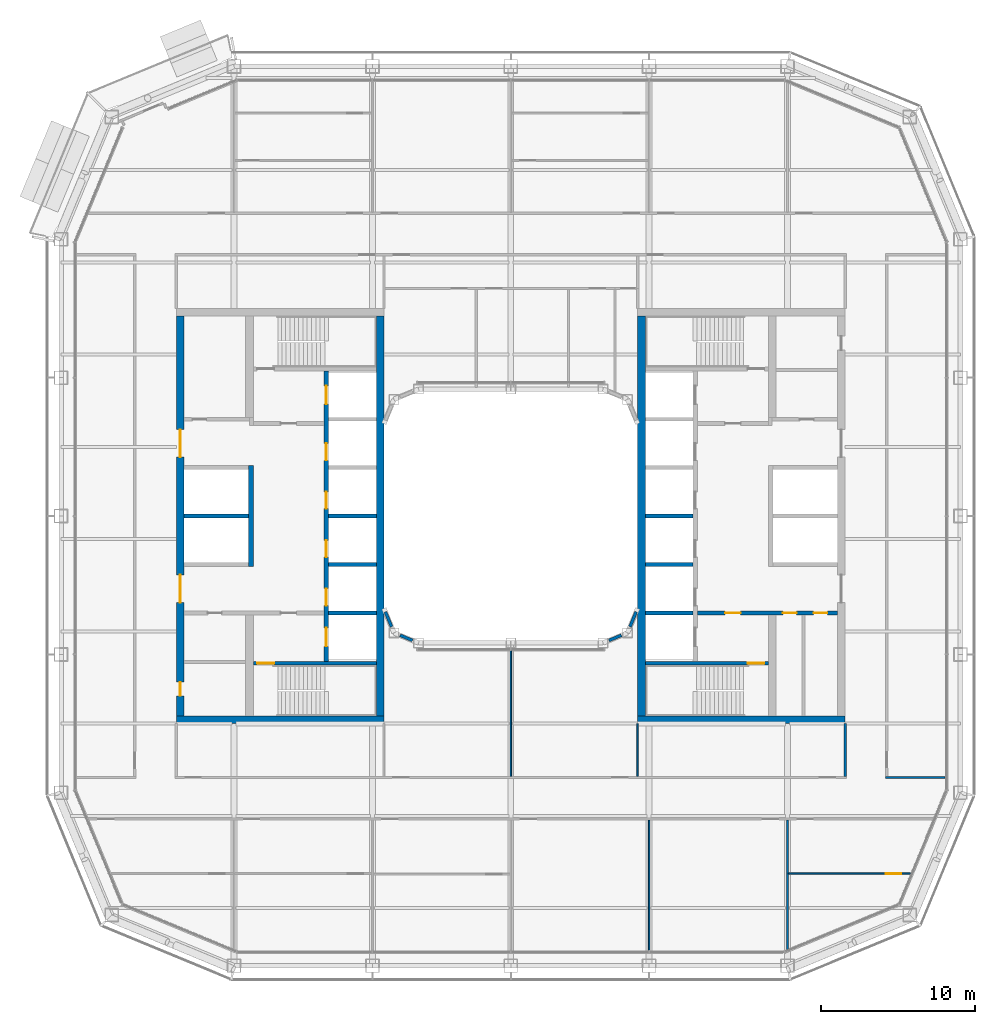
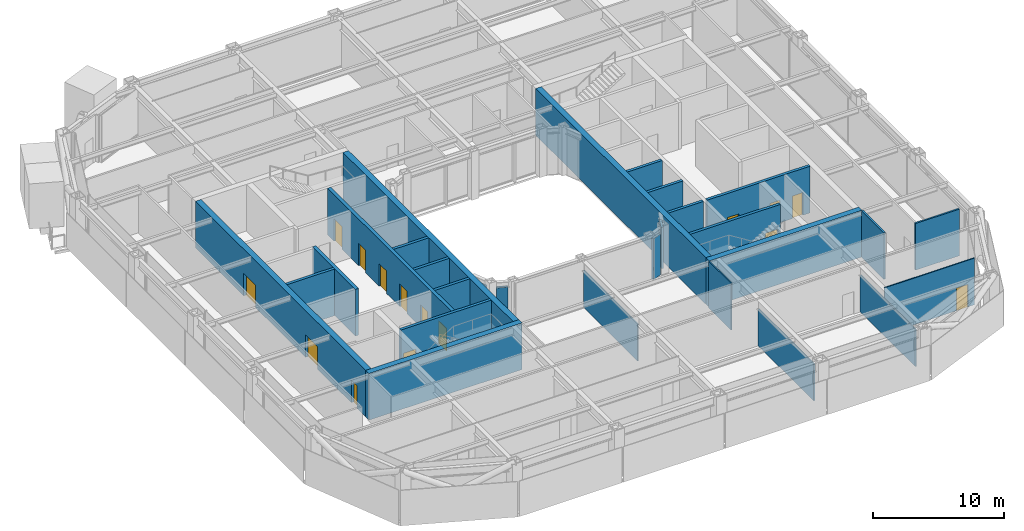
# One storey, part 12 of 23: 28 walls, 15 doors, 15 openings.
"""IFC4 building model written with IfcOpenShell, lengths in metres."""

import ifcopenshell
import ifcopenshell.guid

model = None  # the IFC model being written
_history = None  # IfcOwnerHistory: only IFC2X3 demands one
_inside = {}  # id of a spatial element -> (the spatial element, [elements in it])
_under = {}  # id of a project, library or spatial element -> (it, [spatial elements below it])
_declared = {}  # id of a project -> (the project, [libraries it declares])
_typed = {}  # id of a type object -> (the type object, [elements of that type])
_made_of = {}  # id of a material, layer set ... -> (it, [elements and type objects made of it])


def new_model(schema):
    """Start an empty IFC model of exactly this schema.

    Asked for "IFC4X3", IfcOpenShell would pick the latest addendum, in which some entities
    have other attributes; the version numbers below select the first issue.
    IFC2X3 requires an IfcOwnerHistory on every rooted entity: one is made here for all.
    """
    global model, _history
    if schema == "IFC4X3":
        model = ifcopenshell.file(schema_version=(4, 3, 0, 0))
    else:
        model = ifcopenshell.file(schema=schema)
    _inside.clear()
    _under.clear()
    _declared.clear()
    _typed.clear()
    _made_of.clear()
    _history = None
    if model.schema == "IFC2X3":
        org = make("IfcOrganization", Name="unknown")
        user = make(
            "IfcPersonAndOrganization",
            ThePerson=make("IfcPerson", FamilyName="unknown"),
            TheOrganization=org,
        )
        app = make(
            "IfcApplication",
            ApplicationDeveloper=org,
            Version="unknown",
            ApplicationFullName="unknown",
            ApplicationIdentifier="unknown",
        )
        _history = make(
            "IfcOwnerHistory",
            OwningUser=user,
            OwningApplication=app,
            ChangeAction="ADDED",
            CreationDate=0,
        )
    return model


def make(cls, **values):
    """One entity of the class cls with the attributes given. An attribute that is None is left unset."""
    return model.create_entity(
        cls, **{name: value for name, value in values.items() if value is not None}
    )


def rooted(cls, **values):
    """An entity with a GlobalId (a new one), such as an element, a storey or a relation."""
    return make(cls, GlobalId=ifcopenshell.guid.new(), OwnerHistory=_history, **values)


def si_unit(unit_type, name, prefix=None):
    """IfcSIUnit, for example si_unit("LENGTHUNIT", "METRE", prefix="MILLI")."""
    return make("IfcSIUnit", UnitType=unit_type, Prefix=prefix, Name=name)


def assignment(units):
    """IfcUnitAssignment: the units of a project."""
    return None if units is None else make("IfcUnitAssignment", Units=units)


def point(xyz):
    """IfcCartesianPoint."""
    return None if xyz is None else make("IfcCartesianPoint", Coordinates=xyz)


def direction(xyz):
    """IfcDirection."""
    return None if xyz is None else make("IfcDirection", DirectionRatios=xyz)


def frame(location, z_axis=None, x_axis=None):
    """IfcAxis2Placement3D, a coordinate frame: its origin and axes. An axis left out is left unset."""
    return make(
        "IfcAxis2Placement3D",
        Location=point(location),
        Axis=direction(z_axis),
        RefDirection=direction(x_axis),
    )


def frame_2d(location, x_axis=None):
    """IfcAxis2Placement2D, a coordinate frame in the plane: its origin and x axis."""
    return make(
        "IfcAxis2Placement2D", Location=point(location), RefDirection=direction(x_axis)
    )


def origin():
    """The frame at (0, 0, 0) with its axes left unset."""
    return frame((0.0, 0.0, 0.0))


def place(relative_to, where):
    """IfcLocalPlacement: puts the frame where relative to a parent placement (None: the world)."""
    return make(
        "IfcLocalPlacement", PlacementRelTo=relative_to, RelativePlacement=where
    )


def context(
    kind, dimensions, precision=None, world=None, true_north=None, identifier=None
):
    """IfcGeometricRepresentationContext, for example the 3D "Model" context."""
    return make(
        "IfcGeometricRepresentationContext",
        ContextIdentifier=identifier,
        ContextType=kind,
        CoordinateSpaceDimension=dimensions,
        Precision=precision,
        WorldCoordinateSystem=world,
        TrueNorth=true_north,
    )


def subcontext(parent, identifier, kind, view, scale=None):
    """IfcGeometricRepresentationSubContext, for example "Body" below "Model"."""
    return make(
        "IfcGeometricRepresentationSubContext",
        ContextIdentifier=identifier,
        ContextType=kind,
        ParentContext=parent,
        TargetScale=scale,
        TargetView=view,
    )


def project(units=None, contexts=None):
    """IfcProject with its units and contexts."""
    return rooted(
        "IfcProject",
        Name="project",
        RepresentationContexts=contexts,
        UnitsInContext=assignment(units),
    )


def spatial(cls, under=None, at=None, **own):
    """A site, building, storey or space (cls), placed at a placement, below another one or the project."""
    s = rooted(cls, ObjectPlacement=at, **own)
    if under is not None:
        _under.setdefault(under.id(), (under, []))[1].append(s)
    return s


def profile(cls, at=None, kind="AREA", **sizes):
    """A parametric profile (cls). Its sizes go by their IFC names, for example OverallWidth=200.0."""
    return make(cls, ProfileType=kind, Position=at, **sizes)


def rectangle(**sizes):
    """IfcRectangleProfileDef."""
    return profile("IfcRectangleProfileDef", **sizes)


def extrude(swept, where, along, depth):
    """IfcExtrudedAreaSolid: the profile swept, set in the frame where, extruded along a direction by depth."""
    return make(
        "IfcExtrudedAreaSolid",
        SweptArea=swept,
        Position=where,
        ExtrudedDirection=direction(along),
        Depth=depth,
    )


def shape(context_of_items, identifier, shape_type, items):
    """IfcShapeRepresentation: the items that make up one representation, for example the "Body"."""
    return make(
        "IfcShapeRepresentation",
        ContextOfItems=context_of_items,
        RepresentationIdentifier=identifier,
        RepresentationType=shape_type,
        Items=items,
    )


def material(Name=None, Category=None):
    """IfcMaterial."""
    return make("IfcMaterial", Name=Name, Category=Category)


def layer(
    of_material, thickness, ventilated=None, Name=None, Category=None, Priority=None
):
    """IfcMaterialLayer: one layer of a wall or slab, of a material (None: an air gap)."""
    return make(
        "IfcMaterialLayer",
        Material=of_material,
        LayerThickness=thickness,
        IsVentilated=ventilated,
        Name=Name,
        Category=Category,
        Priority=Priority,
    )


def layer_set(layers, Name=None):
    """IfcMaterialLayerSet."""
    return make("IfcMaterialLayerSet", MaterialLayers=layers, LayerSetName=Name)


def made_of(thing, what):
    """Note that an element or type object is made of a material, layer set ...; save() writes the relation."""
    if what is not None:
        _made_of.setdefault(what.id(), (what, []))[1].append(thing)
    return thing


def type_object(cls, material=None, **own):
    """A type object (cls), such as IfcWallType, which elements share."""
    return made_of(rooted(cls, **own), material)


def element(
    cls,
    number,
    at=None,
    inside=None,
    cuts=None,
    type_object=None,
    material=None,
    context=None,
    identifier="Body",
    shape_type=None,
    held_by="IfcProductDefinitionShape",
    body=None,
    shapes=None,
    **own,
):
    """One element of the class cls, such as IfcWall. Its Tag is "e" and its number.

    at: its placement. inside: the storey or other place that contains it. cuts: it is an
    opening in that element (IfcRelVoidsElement). A single representation is given by context,
    identifier, shape_type and body (its items); several are given by shapes. held_by: the class
    of the entity that holds the representations. save() writes the other relations.
    """
    e = rooted(cls, Tag="e%d" % number, ObjectPlacement=at, **own)
    if body is not None:
        shapes = [shape(context, identifier, shape_type, body)]
    if shapes is not None:
        e.Representation = make(held_by, Representations=shapes)
    if inside is not None:
        _inside.setdefault(inside.id(), (inside, []))[1].append(e)
    if cuts is not None:
        rooted(
            "IfcRelVoidsElement", RelatingBuildingElement=cuts, RelatedOpeningElement=e
        )
    if type_object is not None:
        _typed.setdefault(type_object.id(), (type_object, []))[1].append(e)
    return made_of(e, material)


def fill(opening, filler):
    """IfcRelFillsElement: the door or window that sits in an opening."""
    return rooted(
        "IfcRelFillsElement",
        RelatingOpeningElement=opening,
        RelatedBuildingElement=filler,
    )


def aggregate(whole, parts):
    """IfcRelAggregates: a whole, such as a stair, and the parts it consists of."""
    return rooted("IfcRelAggregates", RelatingObject=whole, RelatedObjects=parts)


def save(model, path):
    """Write the relations noted so far, then the file.

    IfcRelAggregates (storeys below a building ...), IfcRelContainedInSpatialStructure (elements
    in a storey), IfcRelDefinesByType, IfcRelAssociatesMaterial and IfcRelDeclares: one each for
    every whole, place, type object, material and project.
    """
    for whole, parts in _under.values():
        aggregate(whole, parts)
    for where, things in _inside.values():
        rooted(
            "IfcRelContainedInSpatialStructure",
            RelatedElements=things,
            RelatingStructure=where,
        )
    for kind, things in _typed.values():
        rooted("IfcRelDefinesByType", RelatedObjects=things, RelatingType=kind)
    for what, things in _made_of.values():
        rooted("IfcRelAssociatesMaterial", RelatedObjects=things, RelatingMaterial=what)
    for by, libraries in _declared.values():
        rooted("IfcRelDeclares", RelatingContext=by, RelatedDefinitions=libraries)
    model.write(path)


model = new_model("IFC4")

# Units and contexts
model_context = context("Model", 3, precision=1e-05, world=origin(), true_north=direction((0.0, 1.0)))
body_context = subcontext(model_context, "Body", "Model", "MODEL_VIEW")
ifc_project = project(units=[si_unit("LENGTHUNIT", "METRE"), si_unit("AREAUNIT", "SQUARE_METRE"), si_unit("VOLUMEUNIT", "CUBIC_METRE"), si_unit("PLANEANGLEUNIT", "RADIAN"), si_unit("MASSUNIT", "GRAM", prefix="KILO")], contexts=[model_context])

# Site, building, storey
site_placement = place(None, origin())
site = spatial("IfcSite", under=ifc_project, at=site_placement, CompositionType="ELEMENT")
building_placement = place(site_placement, origin())
building = spatial("IfcBuilding", under=site, at=building_placement, Name="Siwar Civic Tower", CompositionType="ELEMENT")
storey_placement = place(building_placement, frame((0.0, 0.0, 154.199951171875)))
storey = spatial("IfcBuildingStorey", under=building, at=storey_placement, Name="L33", CompositionType="ELEMENT", Elevation=154.199951171875)

# Walls
ifc_material_1 = material(Name="Concrete C60/75", Category="concrete")
ifc_layer_1 = layer(ifc_material_1, 0.25)
ifc_layer_set_1 = layer_set([ifc_layer_1], Name="Concrete C60/75")
wall_type_1 = type_object("IfcWallType", Name="CORE-WALL-RC250", PredefinedType="SHEAR", material=ifc_layer_set_1)
wall_1_placement = place(storey_placement, frame((-17.050048828125, 0.0, 0.0), z_axis=(0.0, 0.0, 1.0), x_axis=(-1.0, 0.0, 0.0)))
element("IfcWall", 1, at=wall_1_placement, inside=storey, type_object=wall_type_1, Name="Core wall W", PredefinedType="SHEAR", context=body_context, shape_type="SweptSolid", body=[
    extrude(rectangle(XDim=4.199951171875, YDim=0.25, at=frame_2d((2.10009765625, 0.0))), origin(), (0.0, 0.0, 1.0), 4.35009765625),
])
for number, where, z_axis, x_axis, name in (
    (2, (-8.75, 0.0, 0.0), (0.0, 0.0, 1.0), (-1.0, 0.0, 0.0), "Core wall W"),
    (3, (-8.75, -3.14990234375, 0.0), (0.0, 0.0, 1.0), (-1.0, 0.0, 0.0), "Core wall W"),
    (4, (-8.75, -6.300048828125, 0.0), (0.0, 0.0, 1.0), (-1.0, 0.0, 0.0), "Core wall W"),
):
    element("IfcWall", number, at=place(storey_placement, frame(where, z_axis=z_axis, x_axis=x_axis)), inside=storey, type_object=wall_type_1, Name=name, PredefinedType="SHEAR", context=body_context, shape_type="SweptSolid", body=[
        extrude(rectangle(XDim=3.10009765625, YDim=0.25, at=frame_2d((1.550048828125, 0.0))), origin(), (0.0, 0.0, 1.0), 4.35009765625),
    ])

# Wall, opening, door
wall_2_placement = place(storey_placement, frame((-8.75, -9.574951171875, 0.0), z_axis=(0.0, 0.0, 1.0), x_axis=(-1.0, 0.0, 0.0)))
wall_2 = element("IfcWall", 5, at=wall_2_placement, inside=storey, type_object=wall_type_1, Name="Core wall W", PredefinedType="SHEAR", context=body_context, shape_type="SweptSolid", body=[
    extrude(rectangle(XDim=8.0, YDim=0.25, at=frame_2d((4.0, 0.0))), origin(), (0.0, 0.0, 1.0), 4.35009765625),
])
opening_1_placement = place(wall_2_placement, frame((6.64990234375, 0.0, 0.0)))
opening_1 = element("IfcOpeningElement", 6, at=opening_1_placement, cuts=wall_2, Name="Opening L33-CW04", PredefinedType="OPENING", context=body_context, shape_type="SweptSolid", body=[
    extrude(rectangle(XDim=1.10009765625, YDim=2.10009765625, at=frame_2d((0.550048828125, 1.050048828125))), frame((0.0, 0.135009765625, 0.0), z_axis=(0.0, -1.0, 0.0), x_axis=(1.0, 0.0, 0.0)), (0.0, 0.0, 1.0), 0.27001953125),
])
ifc_material_2 = material(Name="Steel door leaf", Category="steel")
door_type_1 = type_object("IfcDoorType", Name="CORE-DOOR-FD60S", OperationType="SINGLE_SWING_LEFT", PredefinedType="DOOR", material=ifc_material_2)
door_1_placement = place(opening_1_placement, origin())
door_1 = element("IfcDoor", 7, at=door_1_placement, inside=storey, type_object=door_type_1, Name="Stair door L33-CW04", OperationType="SINGLE_SWING_LEFT", OverallHeight=2.10009765625, OverallWidth=1.10009765625, PredefinedType="DOOR", context=body_context, shape_type="SweptSolid", body=[
    extrude(rectangle(XDim=1.10009765625, YDim=2.10009765625, at=frame_2d((0.550048828125, 1.050048828125))), frame((0.0, 0.02490234375, 0.0), z_axis=(0.0, -1.0, 0.0), x_axis=(1.0, 0.0, 0.0)), (0.0, 0.0, 1.0), 0.050048828125),
])
fill(opening_1, door_1)

# Wall, openings, doors
wall_3_placement = place(storey_placement, frame((12.14990234375, -6.300048828125, 0.0), z_axis=(0.0, 0.0, 1.0), x_axis=(1.0, 0.0, 0.0)))
wall_3 = element("IfcWall", 8, at=wall_3_placement, inside=storey, type_object=wall_type_1, Name="Core wall E", PredefinedType="SHEAR", context=body_context, shape_type="SweptSolid", body=[
    extrude(rectangle(XDim=9.10009765625, YDim=0.25, at=frame_2d((4.550048828125, 0.0))), origin(), (0.0, 0.0, 1.0), 4.35009765625),
])
opening_2_placement = place(wall_3_placement, frame((1.800048828125, 0.0, 0.0)))
opening_2 = element("IfcOpeningElement", 9, at=opening_2_placement, cuts=wall_3, Name="Opening L33-CE02", PredefinedType="OPENING", context=body_context, shape_type="SweptSolid", body=[
    extrude(rectangle(XDim=1.0, YDim=2.10009765625, at=frame_2d((0.5, 1.050048828125))), frame((0.0, 0.135009765625, 0.0), z_axis=(0.0, -1.0, 0.0), x_axis=(1.0, 0.0, 0.0)), (0.0, 0.0, 1.0), 0.27001953125),
])
opening_3_placement = place(wall_3_placement, frame((5.550048828125, 0.0, 0.0)))
opening_3 = element("IfcOpeningElement", 10, at=opening_3_placement, cuts=wall_3, Name="Opening L33-CE15", PredefinedType="OPENING", context=body_context, shape_type="SweptSolid", body=[
    extrude(rectangle(XDim=0.89990234375, YDim=2.10009765625, at=frame_2d((0.449951171875, 1.050048828125))), frame((0.0, 0.135009765625, 0.0), z_axis=(0.0, -1.0, 0.0), x_axis=(1.0, 0.0, 0.0)), (0.0, 0.0, 1.0), 0.27001953125),
])
opening_4_placement = place(wall_3_placement, frame((7.550048828125, 0.0, 0.0)))
opening_4 = element("IfcOpeningElement", 11, at=opening_4_placement, cuts=wall_3, Name="Opening L33-CE16", PredefinedType="OPENING", context=body_context, shape_type="SweptSolid", body=[
    extrude(rectangle(XDim=0.89990234375, YDim=2.10009765625, at=frame_2d((0.449951171875, 1.050048828125))), frame((0.0, 0.135009765625, 0.0), z_axis=(0.0, -1.0, 0.0), x_axis=(1.0, 0.0, 0.0)), (0.0, 0.0, 1.0), 0.27001953125),
])
ifc_material_3 = material(Name="Steel door leaf", Category="steel")
door_type_2 = type_object("IfcDoorType", Name="CORE-DOOR-FD30S", OperationType="SINGLE_SWING_LEFT", PredefinedType="DOOR", material=ifc_material_3)
door_2_placement = place(opening_2_placement, origin())
door_2 = element("IfcDoor", 12, at=door_2_placement, inside=storey, type_object=door_type_2, Name="Service lobby door L33-CE02", OperationType="SINGLE_SWING_LEFT", OverallHeight=2.10009765625, OverallWidth=1.0, PredefinedType="DOOR", context=body_context, shape_type="SweptSolid", body=[
    extrude(rectangle(XDim=1.0, YDim=2.10009765625, at=frame_2d((0.5, 1.050048828125))), frame((0.0, 0.02490234375, 0.0), z_axis=(0.0, -1.0, 0.0), x_axis=(1.0, 0.0, 0.0)), (0.0, 0.0, 1.0), 0.050048828125),
])
fill(opening_2, door_2)
ifc_material_4 = material(Name="Steel door leaf", Category="steel")
door_type_3 = type_object("IfcDoorType", Name="CORE-DOOR-ROOM", OperationType="SINGLE_SWING_LEFT", PredefinedType="DOOR", material=ifc_material_4)
door_3_placement = place(opening_3_placement, origin())
door_3 = element("IfcDoor", 13, at=door_3_placement, inside=storey, type_object=door_type_3, Name="Core room door L33-CE15", OperationType="SINGLE_SWING_RIGHT", OverallHeight=2.10009765625, OverallWidth=0.89990234375, PredefinedType="DOOR", context=body_context, shape_type="SweptSolid", body=[
    extrude(rectangle(XDim=0.89990234375, YDim=2.10009765625, at=frame_2d((0.449951171875, 1.050048828125))), frame((0.0, 0.02490234375, 0.0), z_axis=(0.0, -1.0, 0.0), x_axis=(1.0, 0.0, 0.0)), (0.0, 0.0, 1.0), 0.050048828125),
])
fill(opening_3, door_3)
door_4_placement = place(opening_4_placement, origin())
door_4 = element("IfcDoor", 14, at=door_4_placement, inside=storey, type_object=door_type_3, Name="Core room door L33-CE16", OperationType="SINGLE_SWING_LEFT", OverallHeight=2.10009765625, OverallWidth=0.89990234375, PredefinedType="DOOR", context=body_context, shape_type="SweptSolid", body=[
    extrude(rectangle(XDim=0.89990234375, YDim=2.10009765625, at=frame_2d((0.449951171875, 1.050048828125))), frame((0.0, 0.02490234375, 0.0), z_axis=(0.0, -1.0, 0.0), x_axis=(1.0, 0.0, 0.0)), (0.0, 0.0, 1.0), 0.050048828125),
])
fill(opening_4, door_4)

# Walls
for number, where, z_axis, x_axis, name in (
    (15, (8.75, 0.0, 0.0), (0.0, 0.0, 1.0), (1.0, 0.0, 0.0), "Core wall E"),
    (16, (8.75, -3.14990234375, 0.0), (0.0, 0.0, 1.0), (1.0, 0.0, 0.0), "Core wall E"),
    (17, (8.75, -6.300048828125, 0.0), (0.0, 0.0, 1.0), (1.0, 0.0, 0.0), "Core wall E"),
):
    element("IfcWall", number, at=place(storey_placement, frame(where, z_axis=z_axis, x_axis=x_axis)), inside=storey, type_object=wall_type_1, Name=name, PredefinedType="SHEAR", context=body_context, shape_type="SweptSolid", body=[
        extrude(rectangle(XDim=3.10009765625, YDim=0.25, at=frame_2d((1.550048828125, 0.0))), origin(), (0.0, 0.0, 1.0), 4.35009765625),
    ])

# Wall, opening, door
wall_4_placement = place(storey_placement, frame((8.75, -9.574951171875, 0.0), z_axis=(0.0, 0.0, 1.0), x_axis=(1.0, 0.0, 0.0)))
wall_4 = element("IfcWall", 18, at=wall_4_placement, inside=storey, type_object=wall_type_1, Name="Core wall E", PredefinedType="SHEAR", context=body_context, shape_type="SweptSolid", body=[
    extrude(rectangle(XDim=8.0, YDim=0.25, at=frame_2d((4.0, 0.0))), origin(), (0.0, 0.0, 1.0), 4.35009765625),
])
opening_5_placement = place(wall_4_placement, frame((6.64990234375, 0.0, 0.0)))
opening_5 = element("IfcOpeningElement", 19, at=opening_5_placement, cuts=wall_4, Name="Opening L33-CE04", PredefinedType="OPENING", context=body_context, shape_type="SweptSolid", body=[
    extrude(rectangle(XDim=1.10009765625, YDim=2.10009765625, at=frame_2d((0.550048828125, 1.050048828125))), frame((0.0, 0.135009765625, 0.0), z_axis=(0.0, -1.0, 0.0), x_axis=(1.0, 0.0, 0.0)), (0.0, 0.0, 1.0), 0.27001953125),
])
door_5_placement = place(opening_5_placement, origin())
door_5 = element("IfcDoor", 20, at=door_5_placement, inside=storey, type_object=door_type_1, Name="Stair door L33-CE04", OperationType="SINGLE_SWING_RIGHT", OverallHeight=2.10009765625, OverallWidth=1.10009765625, PredefinedType="DOOR", context=body_context, shape_type="SweptSolid", body=[
    extrude(rectangle(XDim=1.10009765625, YDim=2.10009765625, at=frame_2d((0.550048828125, 1.050048828125))), frame((0.0, 0.02490234375, 0.0), z_axis=(0.0, -1.0, 0.0), x_axis=(1.0, 0.0, 0.0)), (0.0, 0.0, 1.0), 0.050048828125),
])
fill(opening_5, door_5)

# Wall, openings, doors
ifc_material_5 = material(Name="Concrete C60/75", Category="concrete")
ifc_layer_2 = layer(ifc_material_5, 0.300048828125)
ifc_layer_set_2 = layer_set([ifc_layer_2], Name="Concrete C60/75")
wall_type_2 = type_object("IfcWallType", Name="CORE-WALL-RC300", PredefinedType="SHEAR", material=ifc_layer_set_2)
wall_5_placement = place(storey_placement, frame((-12.0, -9.449951171875, 0.0), z_axis=(0.0, 0.0, 1.0), x_axis=(0.0, 1.0, 0.0)))
wall_5 = element("IfcWall", 21, at=wall_5_placement, inside=storey, type_object=wall_type_2, Name="Core wall W", PredefinedType="SHEAR", context=body_context, shape_type="SweptSolid", body=[
    extrude(rectangle(XDim=18.89990234375, YDim=0.300048828125, at=frame_2d((9.449951171875, 0.0))), origin(), (0.0, 0.0, 1.0), 4.35009765625),
])
opening_6_placement = place(wall_5_placement, frame((3.625, 0.0, 0.0)))
opening_6 = element("IfcOpeningElement", 22, at=opening_6_placement, cuts=wall_5, Name="Opening L33-CW07", PredefinedType="OPENING", context=body_context, shape_type="SweptSolid", body=[
    extrude(rectangle(XDim=1.10009765625, YDim=2.10009765625, at=frame_2d((0.550048828125, 1.050048828125))), frame((0.0, 0.16015625, 0.0), z_axis=(0.0, -1.0, 0.0), x_axis=(1.0, 0.0, 0.0)), (0.0, 0.0, 1.0), 0.320068359375),
])
opening_7_placement = place(wall_5_placement, frame((6.77490234375, 0.0, 0.0)))
opening_7 = element("IfcOpeningElement", 23, at=opening_7_placement, cuts=wall_5, Name="Opening L33-CW08", PredefinedType="OPENING", context=body_context, shape_type="SweptSolid", body=[
    extrude(rectangle(XDim=1.10009765625, YDim=2.10009765625, at=frame_2d((0.550048828125, 1.050048828125))), frame((0.0, 0.16015625, 0.0), z_axis=(0.0, -1.0, 0.0), x_axis=(1.0, 0.0, 0.0)), (0.0, 0.0, 1.0), 0.320068359375),
])
opening_8_placement = place(wall_5_placement, frame((9.925048828125, 0.0, 0.0)))
opening_8 = element("IfcOpeningElement", 24, at=opening_8_placement, cuts=wall_5, Name="Opening L33-CW09", PredefinedType="OPENING", context=body_context, shape_type="SweptSolid", body=[
    extrude(rectangle(XDim=1.10009765625, YDim=2.10009765625, at=frame_2d((0.550048828125, 1.050048828125))), frame((0.0, 0.16015625, 0.0), z_axis=(0.0, -1.0, 0.0), x_axis=(1.0, 0.0, 0.0)), (0.0, 0.0, 1.0), 0.320068359375),
])
opening_9_placement = place(wall_5_placement, frame((13.074951171875, 0.0, 0.0)))
opening_9 = element("IfcOpeningElement", 25, at=opening_9_placement, cuts=wall_5, Name="Opening L33-CW10", PredefinedType="OPENING", context=body_context, shape_type="SweptSolid", body=[
    extrude(rectangle(XDim=1.10009765625, YDim=2.10009765625, at=frame_2d((0.550048828125, 1.050048828125))), frame((0.0, 0.16015625, 0.0), z_axis=(0.0, -1.0, 0.0), x_axis=(1.0, 0.0, 0.0)), (0.0, 0.0, 1.0), 0.320068359375),
])
opening_10_placement = place(wall_5_placement, frame((16.72509765625, 0.0, 0.0)))
opening_10 = element("IfcOpeningElement", 26, at=opening_10_placement, cuts=wall_5, Name="Opening L33-CW11", PredefinedType="OPENING", context=body_context, shape_type="SweptSolid", body=[
    extrude(rectangle(XDim=1.199951171875, YDim=2.10009765625, at=frame_2d((0.60009765625, 1.050048828125))), frame((0.0, 0.16015625, 0.0), z_axis=(0.0, -1.0, 0.0), x_axis=(1.0, 0.0, 0.0)), (0.0, 0.0, 1.0), 0.320068359375),
])
opening_11_placement = place(wall_5_placement, frame((0.97509765625, 0.0, 0.0)))
opening_11 = element("IfcOpeningElement", 27, at=opening_11_placement, cuts=wall_5, Name="Opening L33-CW12", PredefinedType="OPENING", context=body_context, shape_type="SweptSolid", body=[
    extrude(rectangle(XDim=1.199951171875, YDim=2.10009765625, at=frame_2d((0.60009765625, 1.050048828125))), frame((0.0, 0.16015625, 0.0), z_axis=(0.0, -1.0, 0.0), x_axis=(1.0, 0.0, 0.0)), (0.0, 0.0, 1.0), 0.320068359375),
])
ifc_material_6 = material(Name="Steel door leaf", Category="steel")
door_type_4 = type_object("IfcDoorType", Name="CORE-DOOR-LD", OperationType="DOUBLE_DOOR_SLIDING", PredefinedType="DOOR", material=ifc_material_6)
door_6_placement = place(opening_6_placement, origin())
door_6 = element("IfcDoor", 28, at=door_6_placement, inside=storey, type_object=door_type_4, Name="Landing door LR1 L33-CW07", OperationType="DOUBLE_DOOR_SLIDING", OverallHeight=2.10009765625, OverallWidth=1.10009765625, PredefinedType="DOOR", context=body_context, shape_type="SweptSolid", body=[
    extrude(rectangle(XDim=1.10009765625, YDim=2.10009765625, at=frame_2d((0.550048828125, 1.050048828125))), frame((0.0, 0.02490234375, 0.0), z_axis=(0.0, -1.0, 0.0), x_axis=(1.0, 0.0, 0.0)), (0.0, 0.0, 1.0), 0.050048828125),
])
fill(opening_6, door_6)
door_7_placement = place(opening_7_placement, origin())
door_7 = element("IfcDoor", 29, at=door_7_placement, inside=storey, type_object=door_type_4, Name="Landing door LR2 L33-CW08", OperationType="DOUBLE_DOOR_SLIDING", OverallHeight=2.10009765625, OverallWidth=1.10009765625, PredefinedType="DOOR", context=body_context, shape_type="SweptSolid", body=[
    extrude(rectangle(XDim=1.10009765625, YDim=2.10009765625, at=frame_2d((0.550048828125, 1.050048828125))), frame((0.0, 0.02490234375, 0.0), z_axis=(0.0, -1.0, 0.0), x_axis=(1.0, 0.0, 0.0)), (0.0, 0.0, 1.0), 0.050048828125),
])
fill(opening_7, door_7)
door_8_placement = place(opening_8_placement, origin())
door_8 = element("IfcDoor", 30, at=door_8_placement, inside=storey, type_object=door_type_4, Name="Landing door LR3 L33-CW09", OperationType="DOUBLE_DOOR_SLIDING", OverallHeight=2.10009765625, OverallWidth=1.10009765625, PredefinedType="DOOR", context=body_context, shape_type="SweptSolid", body=[
    extrude(rectangle(XDim=1.10009765625, YDim=2.10009765625, at=frame_2d((0.550048828125, 1.050048828125))), frame((0.0, 0.02490234375, 0.0), z_axis=(0.0, -1.0, 0.0), x_axis=(1.0, 0.0, 0.0)), (0.0, 0.0, 1.0), 0.050048828125),
])
fill(opening_8, door_8)
door_9_placement = place(opening_9_placement, origin())
door_9 = element("IfcDoor", 31, at=door_9_placement, inside=storey, type_object=door_type_4, Name="Landing door LR4 L33-CW10", OperationType="DOUBLE_DOOR_SLIDING", OverallHeight=2.10009765625, OverallWidth=1.10009765625, PredefinedType="DOOR", context=body_context, shape_type="SweptSolid", body=[
    extrude(rectangle(XDim=1.10009765625, YDim=2.10009765625, at=frame_2d((0.550048828125, 1.050048828125))), frame((0.0, 0.02490234375, 0.0), z_axis=(0.0, -1.0, 0.0), x_axis=(1.0, 0.0, 0.0)), (0.0, 0.0, 1.0), 0.050048828125),
])
fill(opening_9, door_9)
ifc_material_7 = material(Name="Steel door leaf", Category="steel")
door_type_5 = type_object("IfcDoorType", Name="CORE-DOOR-LDW", OperationType="DOUBLE_DOOR_SLIDING", PredefinedType="DOOR", material=ifc_material_7)
door_10_placement = place(opening_10_placement, origin())
door_10 = element("IfcDoor", 32, at=door_10_placement, inside=storey, type_object=door_type_5, Name="Landing door FF1 L33-CW11", OperationType="DOUBLE_DOOR_SLIDING", OverallHeight=2.10009765625, OverallWidth=1.199951171875, PredefinedType="DOOR", context=body_context, shape_type="SweptSolid", body=[
    extrude(rectangle(XDim=1.199951171875, YDim=2.10009765625, at=frame_2d((0.60009765625, 1.050048828125))), frame((0.0, 0.02490234375, 0.0), z_axis=(0.0, -1.0, 0.0), x_axis=(1.0, 0.0, 0.0)), (0.0, 0.0, 1.0), 0.050048828125),
])
fill(opening_10, door_10)
door_11_placement = place(opening_11_placement, origin())
door_11 = element("IfcDoor", 33, at=door_11_placement, inside=storey, type_object=door_type_5, Name="Landing door SV1 L33-CW12", OperationType="DOUBLE_DOOR_SLIDING", OverallHeight=2.10009765625, OverallWidth=1.199951171875, PredefinedType="DOOR", context=body_context, shape_type="SweptSolid", body=[
    extrude(rectangle(XDim=1.199951171875, YDim=2.10009765625, at=frame_2d((0.60009765625, 1.050048828125))), frame((0.0, 0.02490234375, 0.0), z_axis=(0.0, -1.0, 0.0), x_axis=(1.0, 0.0, 0.0)), (0.0, 0.0, 1.0), 0.050048828125),
])
fill(opening_11, door_11)

# Wall
wall_6_placement = place(storey_placement, frame((-16.89990234375, -3.27490234375, 0.0), z_axis=(0.0, 0.0, 1.0), x_axis=(0.0, 1.0, 0.0)))
element("IfcWall", 34, at=wall_6_placement, inside=storey, type_object=wall_type_2, Name="Core wall W", PredefinedType="SHEAR", context=body_context, shape_type="SweptSolid", body=[
    extrude(rectangle(XDim=6.5498046875, YDim=0.300048828125, at=frame_2d((3.27490234375, 0.0))), origin(), (0.0, 0.0, 1.0), 4.35009765625),
])

# Wall, openings, doors
ifc_material_8 = material(Name="Concrete C60/75", Category="concrete")
ifc_layer_3 = layer(ifc_material_8, 0.5)
ifc_layer_set_3 = layer_set([ifc_layer_3], Name="Concrete C60/75")
wall_type_3 = type_object("IfcWallType", Name="CORE-WALL-RC500", PredefinedType="SHEAR", material=ifc_layer_set_3)
wall_7_placement = place(storey_placement, frame((-21.5, -13.0, 0.0), z_axis=(0.0, 0.0, 1.0), x_axis=(0.0, 1.0, 0.0)))
wall_7 = element("IfcWall", 35, at=wall_7_placement, inside=storey, type_object=wall_type_3, Name="Core wall W", PredefinedType="SHEAR", context=body_context, shape_type="SweptSolid", body=[
    extrude(rectangle(XDim=26.0, YDim=0.5, at=frame_2d((13.0, 0.0))), origin(), (0.0, 0.0, 1.0), 4.35009765625),
])
opening_12_placement = place(wall_7_placement, frame((16.824951171875, 0.0, 0.0)))
opening_12 = element("IfcOpeningElement", 36, at=opening_12_placement, cuts=wall_7, Name="Opening L33-CW05", PredefinedType="OPENING", context=body_context, shape_type="SweptSolid", body=[
    extrude(rectangle(XDim=1.800048828125, YDim=2.10009765625, at=frame_2d((0.89990234375, 1.050048828125))), frame((0.0, 0.260009765625, 0.0), z_axis=(0.0, -1.0, 0.0), x_axis=(1.0, 0.0, 0.0)), (0.0, 0.0, 1.0), 0.52001953125),
])
opening_13_placement = place(wall_7_placement, frame((7.375, 0.0, 0.0)))
opening_13 = element("IfcOpeningElement", 37, at=opening_13_placement, cuts=wall_7, Name="Opening L33-CW06", PredefinedType="OPENING", context=body_context, shape_type="SweptSolid", body=[
    extrude(rectangle(XDim=1.800048828125, YDim=2.10009765625, at=frame_2d((0.89990234375, 1.050048828125))), frame((0.0, 0.260009765625, 0.0), z_axis=(0.0, -1.0, 0.0), x_axis=(1.0, 0.0, 0.0)), (0.0, 0.0, 1.0), 0.52001953125),
])
opening_14_placement = place(wall_7_placement, frame((1.300048828125, 0.0, 0.0)))
opening_14 = element("IfcOpeningElement", 38, at=opening_14_placement, cuts=wall_7, Name="Opening L33-CW15", PredefinedType="OPENING", context=body_context, shape_type="SweptSolid", body=[
    extrude(rectangle(XDim=0.89990234375, YDim=2.10009765625, at=frame_2d((0.449951171875, 1.050048828125))), frame((0.0, 0.260009765625, 0.0), z_axis=(0.0, -1.0, 0.0), x_axis=(1.0, 0.0, 0.0)), (0.0, 0.0, 1.0), 0.52001953125),
])
ifc_material_9 = material(Name="Steel door leaf", Category="steel")
door_type_6 = type_object("IfcDoorType", Name="CORE-DOOR-PORT", OperationType="DOUBLE_DOOR_DOUBLE_SWING", PredefinedType="DOOR", material=ifc_material_9)
door_12_placement = place(opening_12_placement, origin())
door_12 = element("IfcDoor", 39, at=door_12_placement, inside=storey, type_object=door_type_6, Name="Core entrance door L33-CW05", OperationType="DOUBLE_DOOR_DOUBLE_SWING", OverallHeight=2.10009765625, OverallWidth=1.800048828125, PredefinedType="DOOR", context=body_context, shape_type="SweptSolid", body=[
    extrude(rectangle(XDim=1.800048828125, YDim=2.10009765625, at=frame_2d((0.89990234375, 1.050048828125))), frame((0.0, 0.02490234375, 0.0), z_axis=(0.0, -1.0, 0.0), x_axis=(1.0, 0.0, 0.0)), (0.0, 0.0, 1.0), 0.050048828125),
])
fill(opening_12, door_12)
door_13_placement = place(opening_13_placement, origin())
door_13 = element("IfcDoor", 40, at=door_13_placement, inside=storey, type_object=door_type_6, Name="Core entrance door L33-CW06", OperationType="DOUBLE_DOOR_DOUBLE_SWING", OverallHeight=2.10009765625, OverallWidth=1.800048828125, PredefinedType="DOOR", context=body_context, shape_type="SweptSolid", body=[
    extrude(rectangle(XDim=1.800048828125, YDim=2.10009765625, at=frame_2d((0.89990234375, 1.050048828125))), frame((0.0, 0.02490234375, 0.0), z_axis=(0.0, -1.0, 0.0), x_axis=(1.0, 0.0, 0.0)), (0.0, 0.0, 1.0), 0.050048828125),
])
fill(opening_13, door_13)
door_14_placement = place(opening_14_placement, origin())
door_14 = element("IfcDoor", 41, at=door_14_placement, inside=storey, type_object=door_type_3, Name="Core room door L33-CW15", OperationType="SINGLE_SWING_RIGHT", OverallHeight=2.10009765625, OverallWidth=0.89990234375, PredefinedType="DOOR", context=body_context, shape_type="SweptSolid", body=[
    extrude(rectangle(XDim=0.89990234375, YDim=2.10009765625, at=frame_2d((0.449951171875, 1.050048828125))), frame((0.0, 0.02490234375, 0.0), z_axis=(0.0, -1.0, 0.0), x_axis=(1.0, 0.0, 0.0)), (0.0, 0.0, 1.0), 0.050048828125),
])
fill(opening_14, door_14)

# Walls
for number, where, z_axis, x_axis, name in (
    (42, (-8.25, -13.25, 0.0), (0.0, 0.0, 1.0), (-1.0, 0.0, 0.0), "Core wall W"),
    (43, (8.25, -13.25, 0.0), (0.0, 0.0, 1.0), (1.0, 0.0, 0.0), "Core wall E"),
):
    element("IfcWall", number, at=place(storey_placement, frame(where, z_axis=z_axis, x_axis=x_axis)), inside=storey, type_object=wall_type_3, Name=name, PredefinedType="SHEAR", context=body_context, shape_type="SweptSolid", body=[
        extrude(rectangle(XDim=13.5, YDim=0.5, at=frame_2d((6.75, 0.0))), origin(), (0.0, 0.0, 1.0), 4.35009765625),
    ])
ifc_material_10 = material(Name="Concrete C60/75", Category="concrete")
ifc_layer_4 = layer(ifc_material_10, 0.5)
ifc_layer_set_4 = layer_set([ifc_layer_4], Name="Concrete C60/75")
wall_type_4 = type_object("IfcWallType", Name="CORE-WALL-RC500-EXT", PredefinedType="SHEAR", material=ifc_layer_set_4)
for number, where, z_axis, x_axis, name in (
    (44, (-8.5, -13.0, 0.0), (0.0, 0.0, 1.0), (0.0, 1.0, 0.0), "Core wall W"),
    (45, (8.5, -13.0, 0.0), (0.0, 0.0, 1.0), (0.0, 1.0, 0.0), "Core wall E"),
):
    element("IfcWall", number, at=place(storey_placement, frame(where, z_axis=z_axis, x_axis=x_axis)), inside=storey, type_object=wall_type_4, Name=name, PredefinedType="SHEAR", context=body_context, shape_type="SweptSolid", body=[
        extrude(rectangle(XDim=26.0, YDim=0.5, at=frame_2d((13.0, 0.0))), origin(), (0.0, 0.0, 1.0), 4.35009765625),
    ])
ifc_material_11 = material(Name="Gypsum board on steel studs", Category="steel")
ifc_layer_5 = layer(ifc_material_11, 0.14990234375)
ifc_layer_set_5 = layer_set([ifc_layer_5], Name="Gypsum board on steel studs")
wall_type_5 = type_object("IfcWallType", Name="CORRIDOR PARTITION 150 EI 30", PredefinedType="PARTITIONING", material=ifc_layer_set_5)
wall_8_placement = place(storey_placement, frame((24.375, -17.0, 0.0), z_axis=(0.0, 0.0, 1.0), x_axis=(1.0, 0.0, 0.0)))
element("IfcWall", 46, at=wall_8_placement, inside=storey, type_object=wall_type_5, Name="L33/wall/P07", PredefinedType="PARTITIONING", context=body_context, shape_type="SweptSolid", body=[
    extrude(rectangle(XDim=3.885009765625, YDim=0.14990234375, at=frame_2d((1.9423828125, 0.0))), origin(), (0.0, 0.0, 1.0), 4.35009765625),
])
wall_9_placement = place(storey_placement, frame((21.75, -16.925048828125, 0.0), z_axis=(0.0, 0.0, 1.0), x_axis=(0.0, 1.0, 0.0)))
element("IfcWall", 47, at=wall_9_placement, inside=storey, type_object=wall_type_5, Name="L33/wall/P41", PredefinedType="PARTITIONING", context=body_context, shape_type="SweptSolid", body=[
    extrude(rectangle(XDim=3.425048828125, YDim=0.14990234375, at=frame_2d((1.71240234375, 0.0))), origin(), (0.0, 0.0, 1.0), 4.35009765625),
])
ifc_material_12 = material(Name="Aluminium clad insulated panel", Category="aluminium")
ifc_layer_6 = layer(ifc_material_12, 0.199951171875)
ifc_layer_set_6 = layer_set([ifc_layer_6], Name="Aluminium clad insulated panel")
wall_type_6 = type_object("IfcWallType", Name="ENV-WALL-WELL", PredefinedType="STANDARD", material=ifc_layer_set_6)
wall_10_placement = place(storey_placement, frame((6.392333984375, -8.08740234375, 0.0), z_axis=(0.0, 0.0, 1.0), x_axis=(0.923894108428, 0.382648241093, 0.0)))
element("IfcWall", 48, at=wall_10_placement, inside=storey, type_object=wall_type_6, Name="Light well corner wall SE1", PredefinedType="STANDARD", context=body_context, shape_type="SweptSolid", body=[
    extrude(rectangle(XDim=0.872802734375, YDim=0.199951171875, at=frame_2d((0.4365234375, 0.0))), origin(), (0.0, 0.0, 1.0), 3.825927734375),
])
for number, where, z_axis, x_axis, name in (
    (49, (7.75341796875, -7.19873046875, 0.0), (0.0, 0.0, 1.0), (0.382694858887, 0.923874799408, 0.0), "Light well corner wall SE2"),
    (50, (-8.154296875, -6.23095703125, 0.0), (0.0, 0.0, 1.0), (0.382694858887, -0.923874799408, 0.0), "Light well corner wall SW1"),
):
    element("IfcWall", number, at=place(storey_placement, frame(where, z_axis=z_axis, x_axis=x_axis)), inside=storey, type_object=wall_type_6, Name=name, PredefinedType="STANDARD", context=body_context, shape_type="SweptSolid", body=[
        extrude(rectangle(XDim=1.047607421875, YDim=0.199951171875, at=frame_2d((0.52392578125, 0.0))), origin(), (0.0, 0.0, 1.0), 3.825927734375),
    ])
wall_11_placement = place(storey_placement, frame((-7.19873046875, -7.75341796875, 0.0), z_axis=(0.0, 0.0, 1.0), x_axis=(0.923894108428, -0.382648241093, 0.0)))
element("IfcWall", 51, at=wall_11_placement, inside=storey, type_object=wall_type_6, Name="Light well corner wall SW2", PredefinedType="STANDARD", context=body_context, shape_type="SweptSolid", body=[
    extrude(rectangle(XDim=0.872802734375, YDim=0.199951171875, at=frame_2d((0.4365234375, 0.0))), origin(), (0.0, 0.0, 1.0), 3.825927734375),
])

# Wall, opening, door
ifc_material_13 = material(Name="Gypsum board on steel studs", Category="steel")
ifc_layer_7 = layer(ifc_material_13, 0.10009765625)
ifc_layer_set_7 = layer_set([ifc_layer_7], Name="Gypsum board on steel studs")
wall_type_7 = type_object("IfcWallType", Name="PARTITION 100 GYPSUM", PredefinedType="PARTITIONING", material=ifc_layer_set_7)
wall_12_placement = place(storey_placement, frame((18.050048828125, -23.260986328125, 0.0), z_axis=(0.0, 0.0, 1.0), x_axis=(1.0, 0.0, 0.0)))
wall_12 = element("IfcWall", 52, at=wall_12_placement, inside=storey, type_object=wall_type_7, Name="L33/wall/P03", PredefinedType="PARTITIONING", context=body_context, shape_type="SweptSolid", body=[
    extrude(rectangle(XDim=7.948974609375, YDim=0.10009765625, at=frame_2d((3.974609375, 0.0))), origin(), (0.0, 0.0, 1.0), 4.35009765625),
])
opening_15_placement = place(wall_12_placement, frame((6.35009765625, 0.0, 0.0)))
opening_15 = element("IfcOpeningElement", 53, at=opening_15_placement, cuts=wall_12, Name="Opening D2", PredefinedType="OPENING", context=body_context, shape_type="SweptSolid", body=[
    extrude(rectangle(XDim=1.0, YDim=2.10009765625, at=frame_2d((0.5, 1.050048828125))), frame((0.0, 0.06005859375, 0.0), z_axis=(0.0, -1.0, 0.0), x_axis=(1.0, 0.0, 0.0)), (0.0, 0.0, 1.0), 0.1201171875),
])
ifc_material_14 = material(Name="Timber, painted", Category="wood")
door_type_7 = type_object("IfcDoorType", Name="DOOR 1000 X 2100", OperationType="SINGLE_SWING_LEFT", PredefinedType="DOOR", material=ifc_material_14)
door_15_placement = place(opening_15_placement, origin())
door_15 = element("IfcDoor", 54, at=door_15_placement, inside=storey, type_object=door_type_7, Name="L33-D20", OperationType="SINGLE_SWING_RIGHT", OverallHeight=2.10009765625, OverallWidth=1.0, PredefinedType="DOOR", context=body_context, shape_type="SweptSolid", body=[
    extrude(rectangle(XDim=1.0, YDim=2.10009765625, at=frame_2d((0.5, 1.050048828125))), frame((0.0, 0.02490234375, 0.0), z_axis=(0.0, -1.0, 0.0), x_axis=(1.0, 0.0, 0.0)), (0.0, 0.0, 1.0), 0.050048828125),
])
fill(opening_15, door_15)

# Walls
wall_13_placement = place(storey_placement, frame((0.0, -16.925048828125, 0.0), z_axis=(0.0, 0.0, 1.0), x_axis=(0.0, 1.0, 0.0)))
element("IfcWall", 55, at=wall_13_placement, inside=storey, type_object=wall_type_7, Name="L33/wall/P30", PredefinedType="PARTITIONING", context=body_context, shape_type="SweptSolid", body=[
    extrude(rectangle(XDim=8.275146484375, YDim=0.10009765625, at=frame_2d((4.1376953125, 0.0))), origin(), (0.0, 0.0, 1.0), 3.449951171875),
])
wall_14_placement = place(storey_placement, frame((8.25, -16.925048828125, 0.0), z_axis=(0.0, 0.0, 1.0), x_axis=(0.0, 1.0, 0.0)))
element("IfcWall", 56, at=wall_14_placement, inside=storey, type_object=wall_type_7, Name="L33/wall/P34", PredefinedType="PARTITIONING", context=body_context, shape_type="SweptSolid", body=[
    extrude(rectangle(XDim=3.425048828125, YDim=0.10009765625, at=frame_2d((1.71240234375, 0.0))), origin(), (0.0, 0.0, 1.0), 4.35009765625),
])
wall_15_placement = place(storey_placement, frame((9.0, -28.260009765625, 0.0), z_axis=(0.0, 0.0, 1.0), x_axis=(0.0, 1.0, 0.0)))
element("IfcWall", 57, at=wall_15_placement, inside=storey, type_object=wall_type_7, Name="L33/wall/P37", PredefinedType="PARTITIONING", context=body_context, shape_type="SweptSolid", body=[
    extrude(rectangle(XDim=8.485107421875, YDim=0.10009765625, at=frame_2d((4.24267578125, 0.0))), origin(), (0.0, 0.0, 1.0), 3.449951171875),
])
wall_16_placement = place(storey_placement, frame((18.0, -28.177978515625, 0.0), z_axis=(0.0, 0.0, 1.0), x_axis=(0.0, 1.0, 0.0)))
element("IfcWall", 58, at=wall_16_placement, inside=storey, type_object=wall_type_7, Name="L33/wall/P39", PredefinedType="PARTITIONING", context=body_context, shape_type="SweptSolid", body=[
    extrude(rectangle(XDim=8.403076171875, YDim=0.10009765625, at=frame_2d((4.20166015625, 0.0))), origin(), (0.0, 0.0, 1.0), 3.449951171875),
])

save(model, "model.ifc")
